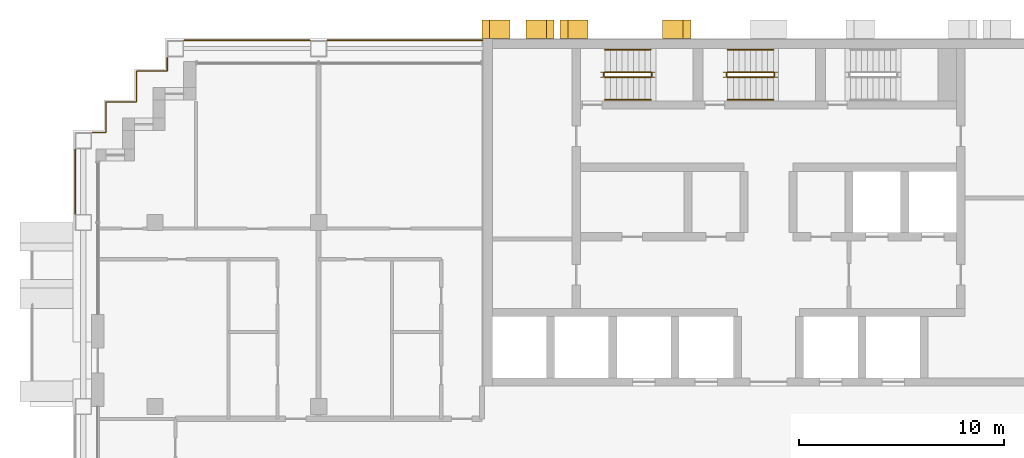
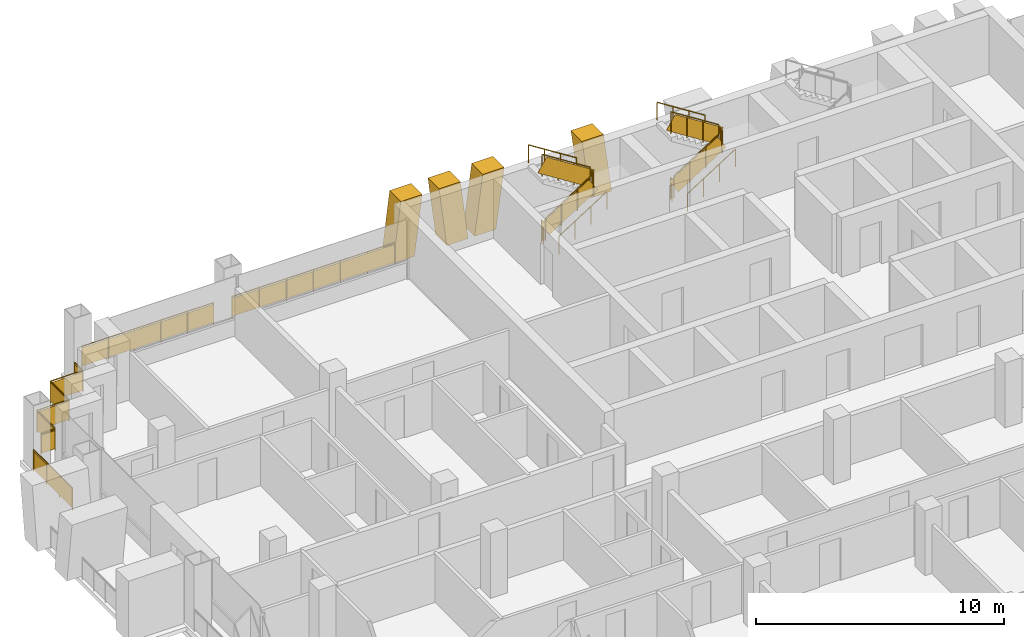
# One storey, part 16 of 18: 16 railings, 4 shading devices.
"""IFC4 building model written with IfcOpenShell, lengths in metres."""

from ifc_helpers import new_model, si_unit, direction, frame, origin, origin_2d, place, context, subcontext, project, spatial, polyline, rectangle, circle, outline, extrude, material, layer, layer_set, type_object, element, save


model = new_model("IFC4")

# Units and contexts
model_context = context("Model", 3, precision=1e-05, world=origin(), true_north=direction((0.0, 1.0)))
body_context = subcontext(model_context, "Body", "Model", "MODEL_VIEW")
ifc_project = project(units=[si_unit("LENGTHUNIT", "METRE"), si_unit("AREAUNIT", "SQUARE_METRE"), si_unit("VOLUMEUNIT", "CUBIC_METRE"), si_unit("PLANEANGLEUNIT", "RADIAN"), si_unit("MASSUNIT", "GRAM", prefix="KILO")], contexts=[model_context])

# Site, building, storey
site_placement = place(None, origin())
site = spatial("IfcSite", under=ifc_project, at=site_placement, CompositionType="ELEMENT")
building_placement = place(site_placement, origin())
building = spatial("IfcBuilding", under=site, at=building_placement, Name="Vidyagriha Tower", CompositionType="ELEMENT")
storey_placement = place(building_placement, frame((0.0, 0.0, 142.199951171875)))
storey = spatial("IfcBuildingStorey", under=building, at=storey_placement, Name="L37", CompositionType="ELEMENT", Elevation=142.199951171875)

# Shading devices
ifc_material_1 = material(Name="Precast concrete C40/50 with brick facing", Category="concrete")
ifc_layer = layer(ifc_material_1, 1.0)
ifc_layer_set = layer_set([ifc_layer], Name="Precast concrete C40/50 with brick facing")
shading_device_type = type_object("IfcShadingDeviceType", Name="Brick-faced rear rib arm leaning 8 degrees", PredefinedType="USERDEFINED", material=ifc_layer_set)
shading_device_1_placement = place(storey_placement, frame((-8.814208984375, 20.449951171875, 0.0), z_axis=(0.0, 0.0, 1.0), x_axis=(-1.0, 0.0, 0.0)))
element("IfcShadingDevice", 1, at=shading_device_1_placement, inside=storey, type_object=shading_device_type, Name="Rear rib arm L37 R08.4a", ObjectType="BLADE FIN", PredefinedType="USERDEFINED", context=body_context, shape_type="SweptSolid", body=[
    extrude(outline(polyline([(0.3857421875, 0.0), (1.3857421875, 0.0), (1.0, 2.920166015625), (0.0, 2.920166015625), (0.3857421875, 0.0)])), frame((0.0, 0.449951171875, 0.0), z_axis=(0.0, -1.0, 0.0), x_axis=(1.0, 0.0, 0.0)), (0.0, 0.0, 1.0), 0.89990234375),
])
shading_device_2_placement = place(storey_placement, frame((-3.800048828125, 20.449951171875, 0.0), z_axis=(0.0, 0.0, 1.0), x_axis=(-1.0, 0.0, 0.0)))
element("IfcShadingDevice", 2, at=shading_device_2_placement, inside=storey, type_object=shading_device_type, Name="Rear rib arm L37 R08.4b", ObjectType="BLADE FIN", PredefinedType="USERDEFINED", context=body_context, shape_type="SweptSolid", body=[
    extrude(outline(polyline([(0.0, 0.0), (1.0, 0.0), (1.3857421875, 2.920166015625), (0.3857421875, 2.920166015625), (0.0, 0.0)])), frame((0.0, 0.449951171875, 0.0), z_axis=(0.0, -1.0, 0.0), x_axis=(1.0, 0.0, 0.0)), (0.0, 0.0, 1.0), 0.89990234375),
])
shading_device_3_placement = place(storey_placement, frame((-12.642822265625, 20.449951171875, 0.0), z_axis=(0.0, 0.0, 1.0), x_axis=(-1.0, 0.0, 0.0)))
element("IfcShadingDevice", 3, at=shading_device_3_placement, inside=storey, type_object=shading_device_type, Name="Rear rib arm L37 R08.5a", ObjectType="BLADE FIN", PredefinedType="USERDEFINED", context=body_context, shape_type="SweptSolid", body=[
    extrude(outline(polyline([(0.357177734375, 0.0), (1.357177734375, 0.0), (1.0, 2.920166015625), (0.0, 2.920166015625), (0.357177734375, 0.0)])), frame((0.0, 0.449951171875, 0.0), z_axis=(0.0, -1.0, 0.0), x_axis=(1.0, 0.0, 0.0)), (0.0, 0.0, 1.0), 0.89990234375),
])
shading_device_4_placement = place(storey_placement, frame((-10.5, 20.449951171875, 0.0), z_axis=(0.0, 0.0, 1.0), x_axis=(-1.0, 0.0, 0.0)))
element("IfcShadingDevice", 4, at=shading_device_4_placement, inside=storey, type_object=shading_device_type, Name="Rear rib arm L37 R08.5b", ObjectType="BLADE FIN", PredefinedType="USERDEFINED", context=body_context, shape_type="SweptSolid", body=[
    extrude(outline(polyline([(0.0, 0.0), (1.0, 0.0), (1.357177734375, 2.920166015625), (0.357177734375, 2.920166015625), (0.0, 0.0)])), frame((0.0, 0.449951171875, 0.0), z_axis=(0.0, -1.0, 0.0), x_axis=(1.0, 0.0, 0.0)), (0.0, 0.0, 1.0), 0.89990234375),
])

# Railings
ifc_material_2 = material(Name="Steel ASTM A500 Grade C black painted", Category="steel")
railing_type_1 = type_object("IfcRailingType", Name="Gallery guard 1100", PredefinedType="GUARDRAIL", material=ifc_material_2)
railing_1_placement = place(storey_placement, frame((-33.89990234375, 11.429931640625, 0.0)))
element("IfcRailing", 5, at=railing_1_placement, inside=storey, type_object=railing_type_1, Name="Gallery guard L37 3", PredefinedType="GUARDRAIL", context=body_context, shape_type="SweptSolid", body=[
    extrude(circle(Radius=0.02490234375, at=origin_2d()), frame((0.0, 0.0, 1.0751953125), z_axis=(0.0, 1.0, 0.0), x_axis=(-1.0, 0.0, 0.0)), (0.0, 0.0, 1.0), 3.14013671875),
    extrude(circle(Radius=0.02001953125, at=origin_2d()), origin(), (0.0, 0.0, 1.0), 1.050048828125),
    extrude(circle(Radius=0.02001953125, at=origin_2d()), frame((0.0, 1.046630859375, 0.0)), (0.0, 0.0, 1.0), 1.050048828125),
    extrude(circle(Radius=0.02001953125, at=origin_2d()), frame((0.0, 2.093505859375, 0.0)), (0.0, 0.0, 1.0), 1.050048828125),
    extrude(circle(Radius=0.02001953125, at=origin_2d()), frame((0.0, 3.14013671875, 0.0)), (0.0, 0.0, 1.0), 1.050048828125),
    extrude(rectangle(XDim=0.010009765625, YDim=0.900146484375, at=origin_2d()), frame((0.0, 0.0, 0.550048828125), z_axis=(0.0, 1.0, 0.0), x_axis=(-1.0, 0.0, 0.0)), (0.0, 0.0, 1.0), 3.14013671875),
])
railing_2_placement = place(storey_placement, frame((-33.070068359375, 15.39990234375, 0.0)))
element("IfcRailing", 6, at=railing_2_placement, inside=storey, type_object=railing_type_1, Name="Gallery guard L37 5", PredefinedType="GUARDRAIL", context=body_context, shape_type="SweptSolid", body=[
    extrude(circle(Radius=0.02490234375, at=origin_2d()), frame((0.0, 0.0, 1.0751953125), z_axis=(1.0, 0.0, 0.0), x_axis=(0.0, 1.0, 0.0)), (0.0, 0.0, 1.0), 0.670166015625),
    extrude(circle(Radius=0.02490234375, at=origin_2d()), frame((0.670166015625, 0.0, 1.0751953125), z_axis=(0.0, 1.0, 0.0), x_axis=(-1.0, 0.0, 0.0)), (0.0, 0.0, 1.0), 1.5),
    extrude(circle(Radius=0.02490234375, at=origin_2d()), frame((0.670166015625, 1.5, 1.0751953125), z_axis=(1.0, 0.0, 0.0), x_axis=(0.0, 1.0, 0.0)), (0.0, 0.0, 1.0), 1.5),
    extrude(circle(Radius=0.02490234375, at=origin_2d()), frame((2.170166015625, 1.5, 1.0751953125), z_axis=(0.0, 1.0, 0.0), x_axis=(-1.0, 0.0, 0.0)), (0.0, 0.0, 1.0), 1.5),
    extrude(circle(Radius=0.02490234375, at=origin_2d()), frame((2.170166015625, 3.0, 1.0751953125), z_axis=(1.0, 0.0, 0.0), x_axis=(0.0, 1.0, 0.0)), (0.0, 0.0, 1.0), 1.5),
    extrude(circle(Radius=0.02490234375, at=origin_2d()), frame((3.670166015625, 3.0, 1.0751953125), z_axis=(0.0, 1.0, 0.0), x_axis=(-1.0, 0.0, 0.0)), (0.0, 0.0, 1.0), 0.670166015625),
    extrude(circle(Radius=0.02001953125, at=origin_2d()), origin(), (0.0, 0.0, 1.0), 1.050048828125),
    extrude(circle(Radius=0.02001953125, at=origin_2d()), frame((0.670166015625, 0.0, 0.0)), (0.0, 0.0, 1.0), 1.050048828125),
    extrude(circle(Radius=0.02001953125, at=origin_2d()), frame((0.670166015625, 1.5, 0.0)), (0.0, 0.0, 1.0), 1.050048828125),
    extrude(circle(Radius=0.02001953125, at=origin_2d()), frame((2.170166015625, 1.5, 0.0)), (0.0, 0.0, 1.0), 1.050048828125),
    extrude(circle(Radius=0.02001953125, at=origin_2d()), frame((2.170166015625, 3.0, 0.0)), (0.0, 0.0, 1.0), 1.050048828125),
    extrude(circle(Radius=0.02001953125, at=origin_2d()), frame((3.670166015625, 3.0, 0.0)), (0.0, 0.0, 1.0), 1.050048828125),
    extrude(circle(Radius=0.02001953125, at=origin_2d()), frame((3.670166015625, 3.670166015625, 0.0)), (0.0, 0.0, 1.0), 1.050048828125),
    extrude(rectangle(XDim=0.010009765625, YDim=0.900146484375, at=origin_2d()), frame((0.0, 0.0, 0.550048828125), z_axis=(1.0, 0.0, 0.0), x_axis=(0.0, 1.0, 0.0)), (0.0, 0.0, 1.0), 0.670166015625),
    extrude(rectangle(XDim=0.010009765625, YDim=0.900146484375, at=origin_2d()), frame((0.670166015625, 0.0, 0.550048828125), z_axis=(0.0, 1.0, 0.0), x_axis=(-1.0, 0.0, 0.0)), (0.0, 0.0, 1.0), 1.5),
    extrude(rectangle(XDim=0.010009765625, YDim=0.900146484375, at=origin_2d()), frame((0.670166015625, 1.5, 0.550048828125), z_axis=(1.0, 0.0, 0.0), x_axis=(0.0, 1.0, 0.0)), (0.0, 0.0, 1.0), 1.5),
    extrude(rectangle(XDim=0.010009765625, YDim=0.900146484375, at=origin_2d()), frame((2.170166015625, 1.5, 0.550048828125), z_axis=(0.0, 1.0, 0.0), x_axis=(-1.0, 0.0, 0.0)), (0.0, 0.0, 1.0), 1.5),
    extrude(rectangle(XDim=0.010009765625, YDim=0.900146484375, at=origin_2d()), frame((2.170166015625, 3.0, 0.550048828125), z_axis=(1.0, 0.0, 0.0), x_axis=(0.0, 1.0, 0.0)), (0.0, 0.0, 1.0), 1.5),
    extrude(rectangle(XDim=0.010009765625, YDim=0.900146484375, at=origin_2d()), frame((3.670166015625, 3.0, 0.550048828125), z_axis=(0.0, 1.0, 0.0), x_axis=(-1.0, 0.0, 0.0)), (0.0, 0.0, 1.0), 0.670166015625),
])
railing_3_placement = place(storey_placement, frame((-28.570068359375, 19.89990234375, 0.0)))
element("IfcRailing", 7, at=railing_3_placement, inside=storey, type_object=railing_type_1, Name="Gallery guard L37 7", PredefinedType="GUARDRAIL", context=body_context, shape_type="SweptSolid", body=[
    extrude(circle(Radius=0.02490234375, at=origin_2d()), frame((0.0, 0.0, 1.0751953125), z_axis=(1.0, 0.0, 0.0), x_axis=(0.0, 1.0, 0.0)), (0.0, 0.0, 1.0), 6.14013671875),
    extrude(circle(Radius=0.02001953125, at=origin_2d()), origin(), (0.0, 0.0, 1.0), 1.050048828125),
    extrude(circle(Radius=0.02001953125, at=origin_2d()), frame((1.22802734375, 0.0, 0.0)), (0.0, 0.0, 1.0), 1.050048828125),
    extrude(circle(Radius=0.02001953125, at=origin_2d()), frame((2.4560546875, 0.0, 0.0)), (0.0, 0.0, 1.0), 1.050048828125),
    extrude(circle(Radius=0.02001953125, at=origin_2d()), frame((3.68408203125, 0.0, 0.0)), (0.0, 0.0, 1.0), 1.050048828125),
    extrude(circle(Radius=0.02001953125, at=origin_2d()), frame((4.912109375, 0.0, 0.0)), (0.0, 0.0, 1.0), 1.050048828125),
    extrude(circle(Radius=0.02001953125, at=origin_2d()), frame((6.14013671875, 0.0, 0.0)), (0.0, 0.0, 1.0), 1.050048828125),
    extrude(rectangle(XDim=0.010009765625, YDim=0.900146484375, at=origin_2d()), frame((0.0, 0.0, 0.550048828125), z_axis=(1.0, 0.0, 0.0), x_axis=(0.0, 1.0, 0.0)), (0.0, 0.0, 1.0), 6.14013671875),
])
railing_4_placement = place(storey_placement, frame((-21.570068359375, 19.89990234375, 0.0)))
element("IfcRailing", 8, at=railing_4_placement, inside=storey, type_object=railing_type_1, Name="Gallery guard L37 8", PredefinedType="GUARDRAIL", context=body_context, shape_type="SweptSolid", body=[
    extrude(circle(Radius=0.02490234375, at=origin_2d()), frame((0.0, 0.0, 1.0751953125), z_axis=(1.0, 0.0, 0.0), x_axis=(0.0, 1.0, 0.0)), (0.0, 0.0, 1.0), 7.590087890625),
    extrude(circle(Radius=0.02001953125, at=origin_2d()), origin(), (0.0, 0.0, 1.0), 1.050048828125),
    extrude(circle(Radius=0.02001953125, at=origin_2d()), frame((1.26513671875, 0.0, 0.0)), (0.0, 0.0, 1.0), 1.050048828125),
    extrude(circle(Radius=0.02001953125, at=origin_2d()), frame((2.530029296875, 0.0, 0.0)), (0.0, 0.0, 1.0), 1.050048828125),
    extrude(circle(Radius=0.02001953125, at=origin_2d()), frame((3.794921875, 0.0, 0.0)), (0.0, 0.0, 1.0), 1.050048828125),
    extrude(circle(Radius=0.02001953125, at=origin_2d()), frame((5.06005859375, 0.0, 0.0)), (0.0, 0.0, 1.0), 1.050048828125),
    extrude(circle(Radius=0.02001953125, at=origin_2d()), frame((6.3251953125, 0.0, 0.0)), (0.0, 0.0, 1.0), 1.050048828125),
    extrude(circle(Radius=0.02001953125, at=origin_2d()), frame((7.590087890625, 0.0, 0.0)), (0.0, 0.0, 1.0), 1.050048828125),
    extrude(rectangle(XDim=0.010009765625, YDim=0.900146484375, at=origin_2d()), frame((0.0, 0.0, 0.550048828125), z_axis=(1.0, 0.0, 0.0), x_axis=(0.0, 1.0, 0.0)), (0.0, 0.0, 1.0), 7.590087890625),
])
ifc_material_3 = material(Name="Steel ASTM A500 Grade C", Category="steel")
railing_type_2 = type_object("IfcRailingType", Name="Stair guard 1100 mm, steel balustrade", PredefinedType="GUARDRAIL", material=ifc_material_3)
railing_5_placement = place(storey_placement, frame((-8.0, 18.10009765625, 0.177734375)))
element("IfcRailing", 9, at=railing_5_placement, inside=storey, type_object=railing_type_2, Name="L37 ST1 stair guard 1", PredefinedType="GUARDRAIL", context=body_context, shape_type="SweptSolid", body=[
    extrude(circle(Radius=0.02392578125, at=origin_2d()), frame((0.0, 0.0, 1.076171875), z_axis=(0.84418770128, 0.0, 0.536047689118), x_axis=(0.0, 1.0, 0.0)), (0.0, 0.0, 1.0), 2.6533203125),
    extrude(circle(Radius=0.02099609375, at=origin_2d()), origin(), (0.0, 0.0, 1.0), 1.052001953125),
    extrude(circle(Radius=0.02099609375, at=origin_2d()), frame((0.74658203125, 0.0, 0.47412109375)), (0.0, 0.0, 1.0), 1.052001953125),
    extrude(circle(Radius=0.02099609375, at=origin_2d()), frame((1.493408203125, 0.0, 0.9482421875)), (0.0, 0.0, 1.0), 1.052001953125),
    extrude(circle(Radius=0.02099609375, at=origin_2d()), frame((2.239990234375, 0.0, 1.42236328125)), (0.0, 0.0, 1.0), 1.052001953125),
    extrude(rectangle(XDim=0.010009765625, YDim=0.761474609375, at=origin_2d()), frame((0.0, 0.0, 0.551025390625), z_axis=(0.84418770128, 0.0, 0.536047689118), x_axis=(0.0, 1.0, 0.0)), (0.0, 0.0, 1.0), 2.6533203125),
])
railing_6_placement = place(storey_placement, frame((-5.7099609375, 18.14990234375, 1.60009765625)))
element("IfcRailing", 10, at=railing_6_placement, inside=storey, type_object=railing_type_2, Name="L37 ST1 stair guard 2", PredefinedType="GUARDRAIL", context=body_context, shape_type="SweptSolid", body=[
    extrude(circle(Radius=0.02392578125, at=origin_2d()), frame((0.0, 0.0, 1.076171875), z_axis=(0.0, 1.0, 0.0), x_axis=(-1.0, 0.0, 0.0)), (0.0, 0.0, 1.0), 0.150146484375),
    extrude(circle(Radius=0.02099609375, at=origin_2d()), origin(), (0.0, 0.0, 1.0), 1.052001953125),
    extrude(circle(Radius=0.02099609375, at=origin_2d()), frame((0.0, 0.150146484375, 0.0)), (0.0, 0.0, 1.0), 1.052001953125),
    extrude(rectangle(XDim=0.010009765625, YDim=0.902099609375, at=origin_2d()), frame((0.0, 0.0, 0.551025390625), z_axis=(0.0, 1.0, 0.0), x_axis=(-1.0, 0.0, 0.0)), (0.0, 0.0, 1.0), 0.150146484375),
])
railing_7_placement = place(storey_placement, frame((-5.760009765625, 18.35009765625, 1.77783203125)))
element("IfcRailing", 11, at=railing_7_placement, inside=storey, type_object=railing_type_2, Name="L37 ST1 stair guard 3", PredefinedType="GUARDRAIL", context=body_context, shape_type="SweptSolid", body=[
    extrude(circle(Radius=0.02392578125, at=origin_2d()), frame((0.0, 0.0, 1.076171875), z_axis=(-0.8442293374, 0.0, 0.53598211339), x_axis=(0.0, -1.0, 0.0)), (0.0, 0.0, 1.0), 2.6533203125),
    extrude(circle(Radius=0.02099609375, at=origin_2d()), origin(), (0.0, 0.0, 1.0), 1.052001953125),
    extrude(circle(Radius=0.02099609375, at=origin_2d()), frame((-0.74658203125, 0.0, 0.47412109375)), (0.0, 0.0, 1.0), 1.052001953125),
    extrude(circle(Radius=0.02099609375, at=origin_2d()), frame((-1.493408203125, 0.0, 0.947998046875)), (0.0, 0.0, 1.0), 1.052001953125),
    extrude(circle(Radius=0.02099609375, at=origin_2d()), frame((-2.239990234375, 0.0, 1.422119140625)), (0.0, 0.0, 1.0), 1.052001953125),
    extrude(rectangle(XDim=0.010009765625, YDim=0.761474609375, at=origin_2d()), frame((0.0, 0.0, 0.551025390625), z_axis=(-0.8442293374, 0.0, 0.53598211339), x_axis=(0.0, -1.0, 0.0)), (0.0, 0.0, 1.0), 2.6533203125),
])
railing_8_placement = place(storey_placement, frame((-8.050048828125, 18.14990234375, 0.0)))
element("IfcRailing", 12, at=railing_8_placement, inside=storey, type_object=railing_type_2, Name="L37 ST1 stair guard 4", PredefinedType="GUARDRAIL", context=body_context, shape_type="SweptSolid", body=[
    extrude(circle(Radius=0.02392578125, at=origin_2d()), frame((0.0, 0.0, 1.076171875), z_axis=(0.0, 1.0, 0.0), x_axis=(-1.0, 0.0, 0.0)), (0.0, 0.0, 1.0), 0.150146484375),
    extrude(circle(Radius=0.02099609375, at=origin_2d()), origin(), (0.0, 0.0, 1.0), 1.052001953125),
    extrude(circle(Radius=0.02099609375, at=origin_2d()), frame((0.0, 0.150146484375, 0.0)), (0.0, 0.0, 1.0), 1.052001953125),
    extrude(rectangle(XDim=0.010009765625, YDim=0.902099609375, at=origin_2d()), frame((0.0, 0.0, 0.551025390625), z_axis=(0.0, 1.0, 0.0), x_axis=(-1.0, 0.0, 0.0)), (0.0, 0.0, 1.0), 0.150146484375),
])
railing_9_placement = place(storey_placement, frame((-2.0, 18.10009765625, 0.177734375)))
element("IfcRailing", 13, at=railing_9_placement, inside=storey, type_object=railing_type_2, Name="L37 ST2 stair guard 1", PredefinedType="GUARDRAIL", context=body_context, shape_type="SweptSolid", body=[
    extrude(circle(Radius=0.02392578125, at=origin_2d()), frame((0.0, 0.0, 1.076171875), z_axis=(0.84418770128, 0.0, 0.536047689118), x_axis=(0.0, 1.0, 0.0)), (0.0, 0.0, 1.0), 2.6533203125),
    extrude(circle(Radius=0.02099609375, at=origin_2d()), origin(), (0.0, 0.0, 1.0), 1.052001953125),
    extrude(circle(Radius=0.02099609375, at=origin_2d()), frame((0.74658203125, 0.0, 0.47412109375)), (0.0, 0.0, 1.0), 1.052001953125),
    extrude(circle(Radius=0.02099609375, at=origin_2d()), frame((1.493408203125, 0.0, 0.9482421875)), (0.0, 0.0, 1.0), 1.052001953125),
    extrude(circle(Radius=0.02099609375, at=origin_2d()), frame((2.239990234375, 0.0, 1.42236328125)), (0.0, 0.0, 1.0), 1.052001953125),
    extrude(rectangle(XDim=0.010009765625, YDim=0.761474609375, at=origin_2d()), frame((0.0, 0.0, 0.551025390625), z_axis=(0.84418770128, 0.0, 0.536047689118), x_axis=(0.0, 1.0, 0.0)), (0.0, 0.0, 1.0), 2.6533203125),
])
railing_10_placement = place(storey_placement, frame((0.2900390625, 18.14990234375, 1.60009765625)))
element("IfcRailing", 14, at=railing_10_placement, inside=storey, type_object=railing_type_2, Name="L37 ST2 stair guard 2", PredefinedType="GUARDRAIL", context=body_context, shape_type="SweptSolid", body=[
    extrude(circle(Radius=0.02392578125, at=origin_2d()), frame((0.0, 0.0, 1.076171875), z_axis=(0.0, 1.0, 0.0), x_axis=(-1.0, 0.0, 0.0)), (0.0, 0.0, 1.0), 0.150146484375),
    extrude(circle(Radius=0.02099609375, at=origin_2d()), origin(), (0.0, 0.0, 1.0), 1.052001953125),
    extrude(circle(Radius=0.02099609375, at=origin_2d()), frame((0.0, 0.150146484375, 0.0)), (0.0, 0.0, 1.0), 1.052001953125),
    extrude(rectangle(XDim=0.010009765625, YDim=0.902099609375, at=origin_2d()), frame((0.0, 0.0, 0.551025390625), z_axis=(0.0, 1.0, 0.0), x_axis=(-1.0, 0.0, 0.0)), (0.0, 0.0, 1.0), 0.150146484375),
])
railing_11_placement = place(storey_placement, frame((0.239990234375, 18.35009765625, 1.77783203125)))
element("IfcRailing", 15, at=railing_11_placement, inside=storey, type_object=railing_type_2, Name="L37 ST2 stair guard 3", PredefinedType="GUARDRAIL", context=body_context, shape_type="SweptSolid", body=[
    extrude(circle(Radius=0.02392578125, at=origin_2d()), frame((0.0, 0.0, 1.076171875), z_axis=(-0.8442293374, 0.0, 0.53598211339), x_axis=(0.0, -1.0, 0.0)), (0.0, 0.0, 1.0), 2.6533203125),
    extrude(circle(Radius=0.02099609375, at=origin_2d()), origin(), (0.0, 0.0, 1.0), 1.052001953125),
    extrude(circle(Radius=0.02099609375, at=origin_2d()), frame((-0.74658203125, 0.0, 0.47412109375)), (0.0, 0.0, 1.0), 1.052001953125),
    extrude(circle(Radius=0.02099609375, at=origin_2d()), frame((-1.493408203125, 0.0, 0.947998046875)), (0.0, 0.0, 1.0), 1.052001953125),
    extrude(circle(Radius=0.02099609375, at=origin_2d()), frame((-2.239990234375, 0.0, 1.422119140625)), (0.0, 0.0, 1.0), 1.052001953125),
    extrude(rectangle(XDim=0.010009765625, YDim=0.761474609375, at=origin_2d()), frame((0.0, 0.0, 0.551025390625), z_axis=(-0.8442293374, 0.0, 0.53598211339), x_axis=(0.0, -1.0, 0.0)), (0.0, 0.0, 1.0), 2.6533203125),
])
railing_12_placement = place(storey_placement, frame((-2.050048828125, 18.14990234375, 0.0)))
element("IfcRailing", 16, at=railing_12_placement, inside=storey, type_object=railing_type_2, Name="L37 ST2 stair guard 4", PredefinedType="GUARDRAIL", context=body_context, shape_type="SweptSolid", body=[
    extrude(circle(Radius=0.02392578125, at=origin_2d()), frame((0.0, 0.0, 1.076171875), z_axis=(0.0, 1.0, 0.0), x_axis=(-1.0, 0.0, 0.0)), (0.0, 0.0, 1.0), 0.150146484375),
    extrude(circle(Radius=0.02099609375, at=origin_2d()), origin(), (0.0, 0.0, 1.0), 1.052001953125),
    extrude(circle(Radius=0.02099609375, at=origin_2d()), frame((0.0, 0.150146484375, 0.0)), (0.0, 0.0, 1.0), 1.052001953125),
    extrude(rectangle(XDim=0.010009765625, YDim=0.902099609375, at=origin_2d()), frame((0.0, 0.0, 0.551025390625), z_axis=(0.0, 1.0, 0.0), x_axis=(-1.0, 0.0, 0.0)), (0.0, 0.0, 1.0), 0.150146484375),
])
ifc_material_4 = material(Name="Steel ASTM A500 Grade C", Category="steel")
railing_type_3 = type_object("IfcRailingType", Name="Stair handrail 900 mm, steel", PredefinedType="HANDRAIL", material=ifc_material_4)
railing_13_placement = place(storey_placement, frame((-8.0, 17.0, 0.177734375)))
element("IfcRailing", 17, at=railing_13_placement, inside=storey, type_object=railing_type_3, Name="L37 ST1 stair handrail 1", PredefinedType="HANDRAIL", context=body_context, shape_type="SweptSolid", body=[
    extrude(circle(Radius=0.02392578125, at=origin_2d()), frame((0.0, 0.0, 0.8759765625), z_axis=(0.84418770128, 0.0, 0.536047689118), x_axis=(0.0, 1.0, 0.0)), (0.0, 0.0, 1.0), 2.6533203125),
    extrude(circle(Radius=0.02099609375, at=origin_2d()), origin(), (0.0, 0.0, 1.0), 0.851806640625),
    extrude(circle(Radius=0.02099609375, at=origin_2d()), frame((0.74658203125, 0.0, 0.47412109375)), (0.0, 0.0, 1.0), 0.851806640625),
    extrude(circle(Radius=0.02099609375, at=origin_2d()), frame((1.493408203125, 0.0, 0.9482421875)), (0.0, 0.0, 1.0), 0.851806640625),
    extrude(circle(Radius=0.02099609375, at=origin_2d()), frame((2.239990234375, 0.0, 1.42236328125)), (0.0, 0.0, 1.0), 0.851806640625),
])
railing_14_placement = place(storey_placement, frame((-5.760009765625, 19.449951171875, 1.77783203125)))
element("IfcRailing", 18, at=railing_14_placement, inside=storey, type_object=railing_type_3, Name="L37 ST1 stair handrail 2", PredefinedType="HANDRAIL", context=body_context, shape_type="SweptSolid", body=[
    extrude(circle(Radius=0.02392578125, at=origin_2d()), frame((0.0, 0.0, 0.8759765625), z_axis=(-0.8442293374, 0.0, 0.53598211339), x_axis=(0.0, -1.0, 0.0)), (0.0, 0.0, 1.0), 2.6533203125),
    extrude(circle(Radius=0.02099609375, at=origin_2d()), origin(), (0.0, 0.0, 1.0), 0.851806640625),
    extrude(circle(Radius=0.02099609375, at=origin_2d()), frame((-0.74658203125, 0.0, 0.47412109375)), (0.0, 0.0, 1.0), 0.851806640625),
    extrude(circle(Radius=0.02099609375, at=origin_2d()), frame((-1.493408203125, 0.0, 0.947998046875)), (0.0, 0.0, 1.0), 0.851806640625),
    extrude(circle(Radius=0.02099609375, at=origin_2d()), frame((-2.239990234375, 0.0, 1.422119140625)), (0.0, 0.0, 1.0), 0.851806640625),
])
railing_15_placement = place(storey_placement, frame((-2.0, 17.0, 0.177734375)))
element("IfcRailing", 19, at=railing_15_placement, inside=storey, type_object=railing_type_3, Name="L37 ST2 stair handrail 1", PredefinedType="HANDRAIL", context=body_context, shape_type="SweptSolid", body=[
    extrude(circle(Radius=0.02392578125, at=origin_2d()), frame((0.0, 0.0, 0.8759765625), z_axis=(0.84418770128, 0.0, 0.536047689118), x_axis=(0.0, 1.0, 0.0)), (0.0, 0.0, 1.0), 2.6533203125),
    extrude(circle(Radius=0.02099609375, at=origin_2d()), origin(), (0.0, 0.0, 1.0), 0.851806640625),
    extrude(circle(Radius=0.02099609375, at=origin_2d()), frame((0.74658203125, 0.0, 0.47412109375)), (0.0, 0.0, 1.0), 0.851806640625),
    extrude(circle(Radius=0.02099609375, at=origin_2d()), frame((1.493408203125, 0.0, 0.9482421875)), (0.0, 0.0, 1.0), 0.851806640625),
    extrude(circle(Radius=0.02099609375, at=origin_2d()), frame((2.239990234375, 0.0, 1.42236328125)), (0.0, 0.0, 1.0), 0.851806640625),
])
railing_16_placement = place(storey_placement, frame((0.239990234375, 19.449951171875, 1.77783203125)))
element("IfcRailing", 20, at=railing_16_placement, inside=storey, type_object=railing_type_3, Name="L37 ST2 stair handrail 2", PredefinedType="HANDRAIL", context=body_context, shape_type="SweptSolid", body=[
    extrude(circle(Radius=0.02392578125, at=origin_2d()), frame((0.0, 0.0, 0.8759765625), z_axis=(-0.8442293374, 0.0, 0.53598211339), x_axis=(0.0, -1.0, 0.0)), (0.0, 0.0, 1.0), 2.6533203125),
    extrude(circle(Radius=0.02099609375, at=origin_2d()), origin(), (0.0, 0.0, 1.0), 0.851806640625),
    extrude(circle(Radius=0.02099609375, at=origin_2d()), frame((-0.74658203125, 0.0, 0.47412109375)), (0.0, 0.0, 1.0), 0.851806640625),
    extrude(circle(Radius=0.02099609375, at=origin_2d()), frame((-1.493408203125, 0.0, 0.947998046875)), (0.0, 0.0, 1.0), 0.851806640625),
    extrude(circle(Radius=0.02099609375, at=origin_2d()), frame((-2.239990234375, 0.0, 1.422119140625)), (0.0, 0.0, 1.0), 0.851806640625),
])

save(model, "model.ifc")
